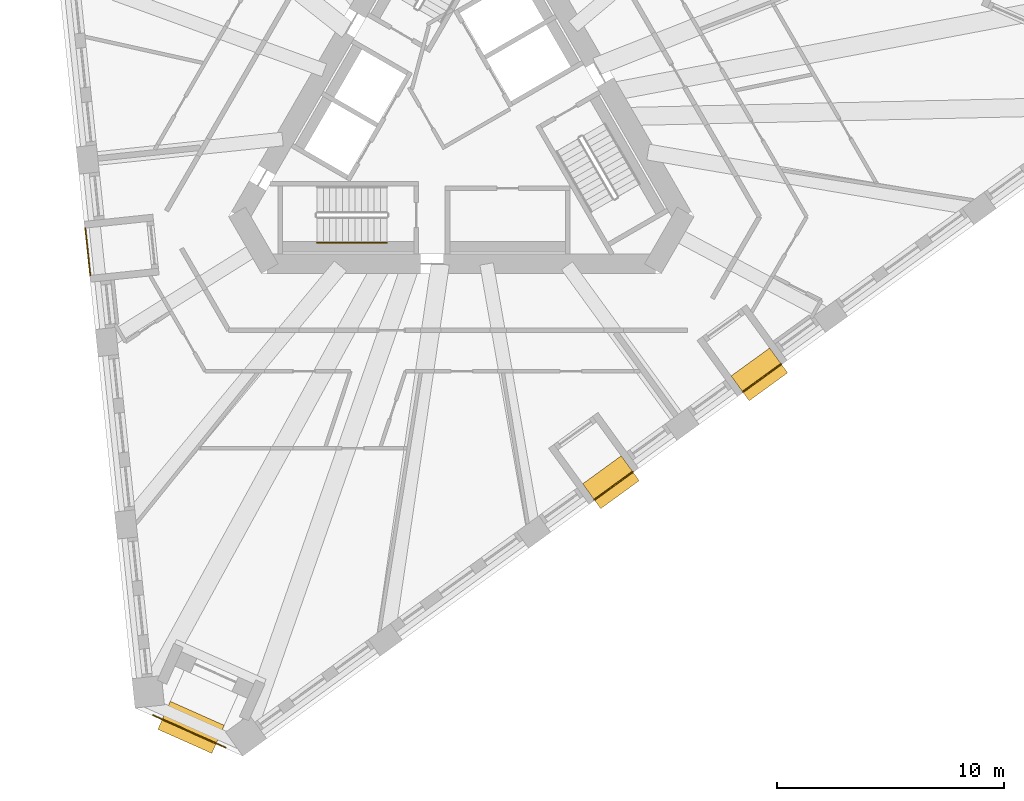
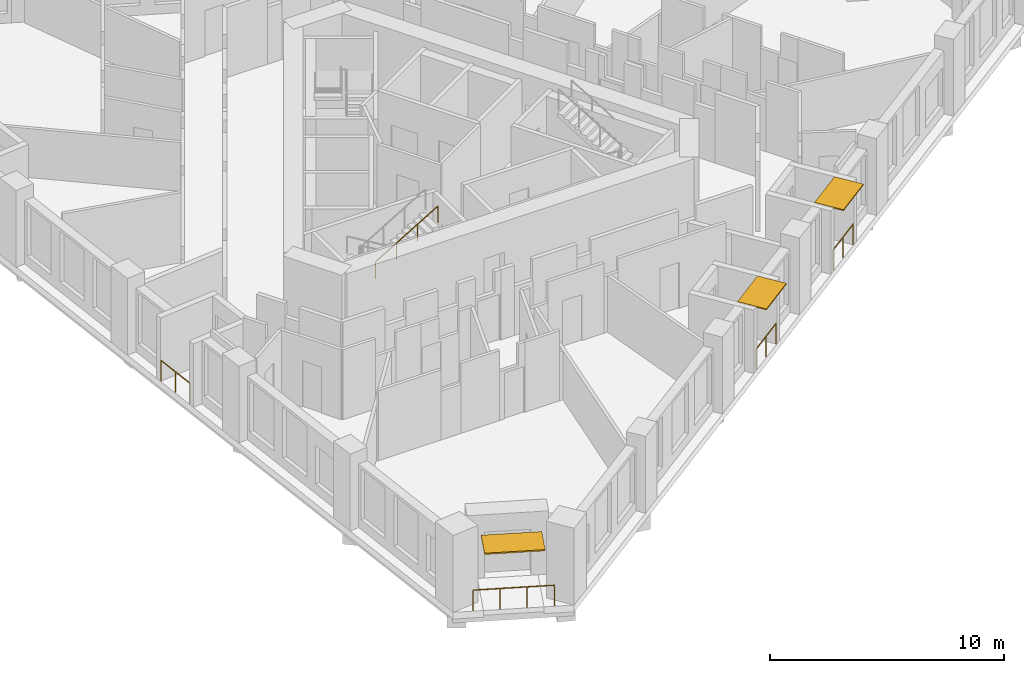
# One storey, part 10 of 14: 5 railings, 3 shading devices.
"""IFC4 building model written with IfcOpenShell, lengths in metres."""

from ifc_helpers import new_model, si_unit, direction, frame, origin, origin_2d, place, context, subcontext, project, spatial, rectangle, circle, extrude, material, layer, layer_set, type_object, element, save


model = new_model("IFC4")

# Units and contexts
model_context = context("Model", 3, precision=1e-05, world=origin(), true_north=direction((0.0, 1.0)))
body_context = subcontext(model_context, "Body", "Model", "MODEL_VIEW")
ifc_project = project(units=[si_unit("LENGTHUNIT", "METRE"), si_unit("AREAUNIT", "SQUARE_METRE"), si_unit("VOLUMEUNIT", "CUBIC_METRE"), si_unit("PLANEANGLEUNIT", "RADIAN"), si_unit("MASSUNIT", "GRAM", prefix="KILO")], contexts=[model_context])

# Site, building, storey
site_placement = place(None, origin())
site = spatial("IfcSite", under=ifc_project, at=site_placement, CompositionType="ELEMENT")
building_placement = place(site_placement, origin())
building = spatial("IfcBuilding", under=site, at=building_placement, Name="Tramontana Tower", CompositionType="ELEMENT")
storey_placement = place(building_placement, frame((0.0, 0.0, 170.800048828125)))
storey = spatial("IfcBuildingStorey", under=building, at=storey_placement, Name="L39", CompositionType="ELEMENT", Elevation=170.800048828125)

# Railings
ifc_material_1 = material(Name="Laminated glass balustrade", Category="glass")
railing_type_1 = type_object("IfcRailingType", Name="GD1 Loggia glass balustrade 1100", PredefinedType="BALUSTRADE", material=ifc_material_1)
railing_1_placement = place(storey_placement, frame((-16.56396484375, -4.751708984375, 0.0)))
element("IfcRailing", 1, at=railing_1_placement, inside=storey, type_object=railing_type_1, Name="Loggia balustrade L39 G4S0.10", PredefinedType="BALUSTRADE", context=body_context, shape_type="SweptSolid", body=[
    extrude(circle(Radius=0.02392578125, at=origin_2d()), frame((0.0, 0.0, 1.076171875), z_axis=(0.104454180193, -0.994529700029, 0.0), x_axis=(0.994529700029, 0.104454180193, 0.0)), (0.0, 0.0, 1.0), 2.09423828125),
    extrude(circle(Radius=0.02099609375, at=origin_2d()), origin(), (0.0, 0.0, 1.0), 1.052001953125),
    extrude(circle(Radius=0.02099609375, at=origin_2d()), frame((0.109375, -1.04150390625, 0.0)), (0.0, 0.0, 1.0), 1.052001953125),
    extrude(circle(Radius=0.02099609375, at=origin_2d()), frame((0.21875, -2.082763671875, 0.0)), (0.0, 0.0, 1.0), 1.052001953125),
])
for number, where, name in (
    (2, (5.85791015625, -16.719970703125, 0.0), "Loggia balustrade L39 G4S1.7"),
    (3, (12.397216796875, -11.968994140625, 0.0), "Loggia balustrade L39 G4S1.10"),
):
    element("IfcRailing", number, at=place(storey_placement, frame(where)), inside=storey, type_object=railing_type_1, Name=name, PredefinedType="BALUSTRADE", context=body_context, shape_type="SweptSolid", body=[
        extrude(circle(Radius=0.02392578125, at=origin_2d()), frame((0.0, 0.0, 1.076171875), z_axis=(0.809028366311, 0.587769599847, 0.0), x_axis=(-0.587769599847, 0.809028366311, 0.0)), (0.0, 0.0, 1.0), 2.09423828125),
        extrude(circle(Radius=0.02099609375, at=origin_2d()), origin(), (0.0, 0.0, 1.0), 1.052001953125),
        extrude(circle(Radius=0.02099609375, at=origin_2d()), frame((0.84716796875, 0.615478515625, 0.0)), (0.0, 0.0, 1.0), 1.052001953125),
        extrude(circle(Radius=0.02099609375, at=origin_2d()), frame((1.6943359375, 1.23095703125, 0.0)), (0.0, 0.0, 1.0), 1.052001953125),
    ])
railing_2_placement = place(storey_placement, frame((-10.387939453125, -27.634033203125, 0.0)))
element("IfcRailing", 4, at=railing_2_placement, inside=storey, type_object=railing_type_1, Name="Corner loggia balustrade L39 K41", PredefinedType="BALUSTRADE", context=body_context, shape_type="SweptSolid", body=[
    extrude(circle(Radius=0.02392578125, at=origin_2d()), frame((0.0, 0.0, 1.076171875), z_axis=(-0.913538066796, 0.406753242783, 0.0), x_axis=(-0.406753242783, -0.913538066796, 0.0)), (0.0, 0.0, 1.0), 3.499755859375),
    extrude(circle(Radius=0.02099609375, at=origin_2d()), origin(), (0.0, 0.0, 1.0), 1.052001953125),
    extrude(circle(Radius=0.02099609375, at=origin_2d()), frame((-1.065673828125, 0.474609375, 0.0)), (0.0, 0.0, 1.0), 1.052001953125),
    extrude(circle(Radius=0.02099609375, at=origin_2d()), frame((-2.131591796875, 0.948974609375, 0.0)), (0.0, 0.0, 1.0), 1.052001953125),
    extrude(circle(Radius=0.02099609375, at=origin_2d()), frame((-3.197265625, 1.423583984375, 0.0)), (0.0, 0.0, 1.0), 1.052001953125),
])

# Shading devices
ifc_material_2 = material(Name="Precast concrete 60 MPa", Category="concrete")
ifc_layer_1 = layer(ifc_material_2, 0.06005859375)
ifc_layer_set_1 = layer_set([ifc_layer_1], Name="SS1 Stone sunshade blade 60")
shading_device_type_1 = type_object("IfcShadingDeviceType", Name="SS1 Stone sunshade blade 60", PredefinedType="USERDEFINED", material=ifc_layer_set_1)
for number, where, z_axis, x_axis, name in (
    (5, (6.590576171875, -15.94677734375, 3.239990234375), (0.0, 0.0, 1.0), (0.809016994375, 0.587785252292, 0.0), "Sunshade L39 G4S1.7"),
    (6, (13.129638671875, -11.19580078125, 3.239990234375), (0.0, 0.0, 1.0), (0.809016994375, 0.587785252292, 0.0), "Sunshade L39 G4S1.10"),
):
    element("IfcShadingDevice", number, at=place(storey_placement, frame(where, z_axis=z_axis, x_axis=x_axis)), inside=storey, type_object=shading_device_type_1, Name=name, ObjectType="SUNSHADE", PredefinedType="USERDEFINED", context=body_context, shape_type="SweptSolid", body=[
        extrude(rectangle(XDim=2.09423828125, YDim=1.35009765625, at=origin_2d()), origin(), (0.0, 0.0, 1.0), 0.06005859375),
    ])
ifc_material_3 = material(Name="Precast concrete 60 MPa", Category="concrete")
ifc_layer_2 = layer(ifc_material_3, 0.070068359375)
ifc_layer_set_2 = layer_set([ifc_layer_2], Name="SS2 Stone sunshade blade 70")
shading_device_type_2 = type_object("IfcShadingDeviceType", Name="SS2 Stone sunshade blade 70", PredefinedType="USERDEFINED", material=ifc_layer_set_2)
shading_device_placement = place(storey_placement, frame((-11.9072265625, -26.744140625, 3.22998046875), z_axis=(0.0, 0.0, 1.0), x_axis=(-0.913545457643, 0.406736643076, 0.0)))
element("IfcShadingDevice", 7, at=shading_device_placement, inside=storey, type_object=shading_device_type_2, Name="Corner sunshade L39 K41", ObjectType="SUNSHADE", PredefinedType="USERDEFINED", context=body_context, shape_type="SweptSolid", body=[
    extrude(rectangle(XDim=2.60009765625, YDim=1.35009765625, at=origin_2d()), origin(), (0.0, 0.0, 1.0), 0.070068359375),
])

# Railing
ifc_material_4 = material(Name="Painted steel", Category="steel")
railing_type_2 = type_object("IfcRailingType", Name="STAIR HANDRAIL 900", PredefinedType="HANDRAIL", material=ifc_material_4)
railing_3_placement = place(storey_placement, frame((-6.360107421875, -5.39990234375, 2.16650390625)))
element("IfcRailing", 8, at=railing_3_placement, inside=storey, type_object=railing_type_2, Name="L39 ST2 stair handrail 2", PredefinedType="HANDRAIL", context=body_context, shape_type="SweptSolid", body=[
    extrude(circle(Radius=0.02392578125, at=origin_2d()), frame((0.0, 0.0, 0.8759765625), z_axis=(0.85927862911, 0.0, 0.511507807912), x_axis=(0.0, 1.0, 0.0)), (0.0, 0.0, 1.0), 3.58447265625),
    extrude(circle(Radius=0.02099609375, at=origin_2d()), origin(), (0.0, 0.0, 1.0), 0.851806640625),
    extrude(circle(Radius=0.02099609375, at=origin_2d()), frame((1.026611328125, 0.0, 0.611083984375)), (0.0, 0.0, 1.0), 0.851806640625),
    extrude(circle(Radius=0.02099609375, at=origin_2d()), frame((2.053466796875, 0.0, 1.222412109375)), (0.0, 0.0, 1.0), 0.851806640625),
    extrude(circle(Radius=0.02099609375, at=origin_2d()), frame((3.080078125, 0.0, 1.83349609375)), (0.0, 0.0, 1.0), 0.851806640625),
])

save(model, "model.ifc")
